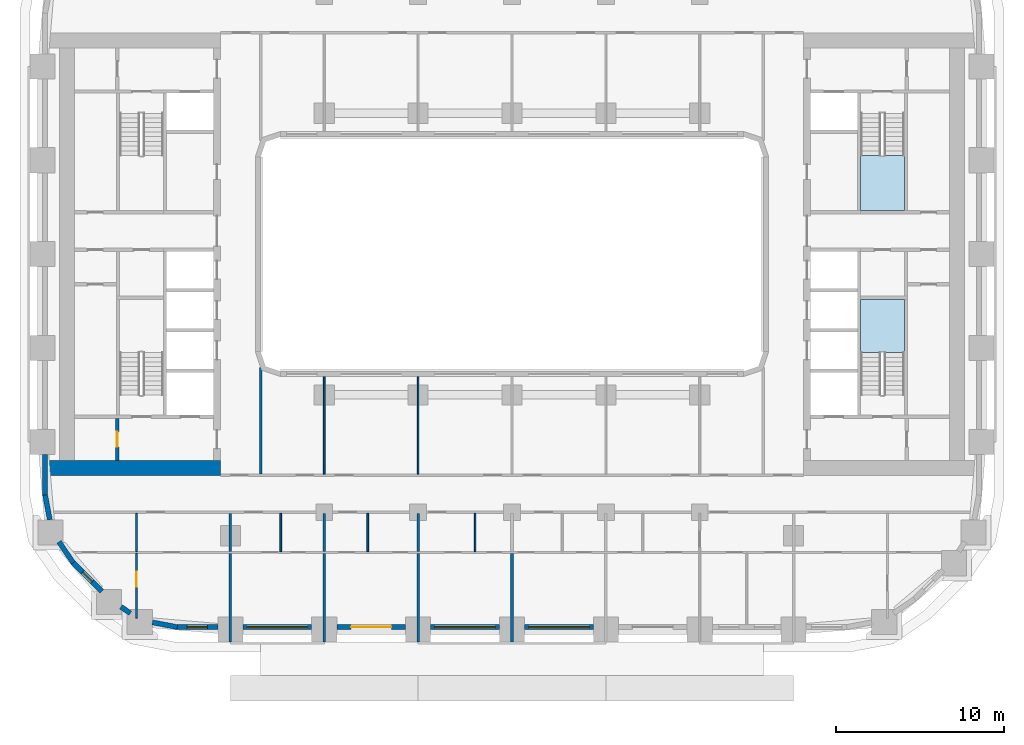
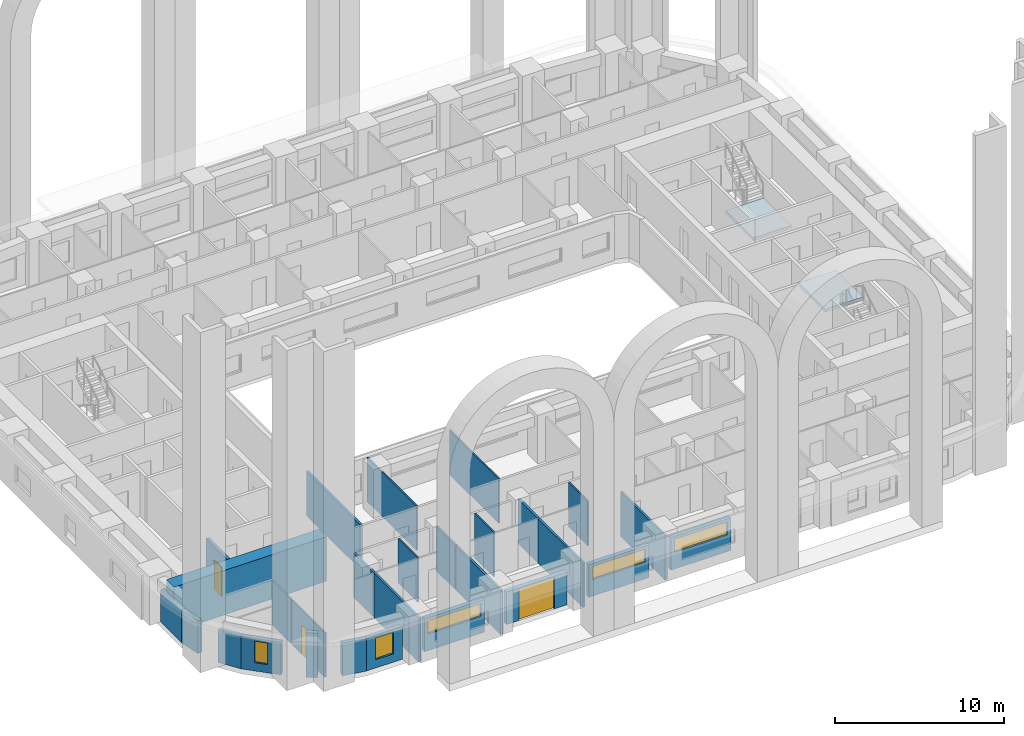
# One storey, part 2 of 21: 28 walls, 5 windows, 3 doors, 2 slabs, 8 openings, 2 elements without a shape of their own.
"""IFC4 building model written with IfcOpenShell, lengths in metres."""

from ifc_helpers import new_model, si_unit, direction, frame, frame_2d, origin, place, context, subcontext, project, spatial, polyline, rectangle, outline, extrude, material, layer, layer_set, type_object, element, fill, aggregate, save


model = new_model("IFC4")

# Units and contexts
model_context = context("Model", 3, precision=1e-05, world=origin(), true_north=direction((0.0, 1.0)))
body_context = subcontext(model_context, "Body", "Model", "MODEL_VIEW")
ifc_project = project(units=[si_unit("LENGTHUNIT", "METRE"), si_unit("AREAUNIT", "SQUARE_METRE"), si_unit("VOLUMEUNIT", "CUBIC_METRE"), si_unit("PLANEANGLEUNIT", "RADIAN"), si_unit("MASSUNIT", "GRAM", prefix="KILO")], contexts=[model_context])

# Site, building, storey
site_placement = place(None, origin())
site = spatial("IfcSite", under=ifc_project, at=site_placement, CompositionType="ELEMENT")
building_placement = place(site_placement, origin())
building = spatial("IfcBuilding", under=site, at=building_placement, Name="Kiln Ring Residences", CompositionType="ELEMENT")
storey_placement = place(building_placement, frame((0.0, 0.0, 30.5)))
storey = spatial("IfcBuildingStorey", under=building, at=storey_placement, Name="L06", CompositionType="ELEMENT", Elevation=30.5)

# Stair, slab
ifc_material_1 = material(Name="Concrete C40/50", Category="concrete")
stair_type = type_object("IfcStairType", Name="CORE-STAIR", PredefinedType="HALF_TURN_STAIR", material=ifc_material_1)
placement_1 = place(storey_placement, origin())
stair_1 = element("IfcStair", 1, at=placement_1, inside=storey, type_object=stair_type, Name="L06 stair E-STN", PredefinedType="HALF_TURN_STAIR")
ifc_material_2 = material(Name="Concrete C40/50", Category="concrete")
ifc_layer_1 = layer(ifc_material_2, 0.199951171875)
ifc_layer_set_1 = layer_set([ifc_layer_1], Name="CORE-STAIR-LANDING")
slab_type = type_object("IfcSlabType", Name="CORE-STAIR-LANDING", PredefinedType="LANDING", material=ifc_layer_set_1)
placement_2 = place(storey_placement, frame((0.0, 0.0, 1.550048828125)))
slab_1 = element("IfcSlab", 2, at=placement_2, type_object=slab_type, Name="E-STN landing 1", PredefinedType="LANDING", context=body_context, shape_type="SweptSolid", body=[
    extrude(outline(polyline([(20.800048828125, 5.8798828125), (20.800048828125, 2.60009765625), (23.39990234375, 2.60009765625), (23.39990234375, 5.8798828125), (20.800048828125, 5.8798828125)])), origin(), (0.0, 0.0, 1.0), 0.199951171875),
])
aggregate(stair_1, [slab_1])

stair_2 = element("IfcStair", 3, at=placement_1, inside=storey, type_object=stair_type, Name="L06 stair E-STS", PredefinedType="HALF_TURN_STAIR")
slab_2 = element("IfcSlab", 4, at=placement_2, type_object=slab_type, Name="E-STS landing 1", PredefinedType="LANDING", context=body_context, shape_type="SweptSolid", body=[
    extrude(outline(polyline([(23.39990234375, -5.8798828125), (23.39990234375, -2.699951171875), (20.800048828125, -2.699951171875), (20.800048828125, -5.8798828125), (23.39990234375, -5.8798828125)])), origin(), (0.0, 0.0, 1.0), 0.199951171875),
])
aggregate(stair_2, [slab_2])

# Wall, opening, door
ifc_material_3 = material(Name="Gypsum board on steel studs", Category="steel")
ifc_layer_2 = layer(ifc_material_3, 0.199951171875)
ifc_layer_set_2 = layer_set([ifc_layer_2], Name="CORE-PARTITION-200")
wall_type_1 = type_object("IfcWallType", Name="CORE-PARTITION-200", PredefinedType="PARTITIONING", material=ifc_layer_set_2)
wall_1_placement = place(storey_placement, frame((-23.550048828125, -12.300048828125, 0.0), z_axis=(0.0, 0.0, 1.0), x_axis=(0.0, 1.0, 0.0)))
wall_1 = element("IfcWall", 5, at=wall_1_placement, inside=storey, type_object=wall_type_1, Name="Core partition west L06 4", PredefinedType="PARTITIONING", context=body_context, shape_type="SweptSolid", body=[
    extrude(rectangle(XDim=2.5, YDim=0.199951171875, at=frame_2d((1.25, 0.0))), origin(), (0.0, 0.0, 1.0), 3.199951171875),
])
opening_1_placement = place(wall_1_placement, frame((0.800048828125, 0.0, 0.0)))
opening_1 = element("IfcOpeningElement", 6, at=opening_1_placement, cuts=wall_1, Name="Opening L06-CW10", PredefinedType="OPENING", context=body_context, shape_type="SweptSolid", body=[
    extrude(rectangle(XDim=0.89990234375, YDim=2.10009765625, at=frame_2d((0.449951171875, 1.050048828125))), frame((0.0, 0.10986328125, 0.0), z_axis=(0.0, -1.0, 0.0), x_axis=(1.0, 0.0, 0.0)), (0.0, 0.0, 1.0), 0.219970703125),
])
ifc_material_4 = material(Name="Steel door leaf", Category="steel")
door_type_1 = type_object("IfcDoorType", Name="CORE-DOOR-ROOM", OperationType="SINGLE_SWING_LEFT", PredefinedType="DOOR", material=ifc_material_4)
door_1_placement = place(opening_1_placement, origin())
door_1 = element("IfcDoor", 7, at=door_1_placement, inside=storey, type_object=door_type_1, Name="Store L06-CW10", OperationType="SINGLE_SWING_RIGHT", OverallHeight=2.10009765625, OverallWidth=0.89990234375, PredefinedType="DOOR", context=body_context, shape_type="SweptSolid", body=[
    extrude(rectangle(XDim=0.89990234375, YDim=2.10009765625, at=frame_2d((0.449951171875, 1.050048828125))), frame((0.0, 0.02490234375, 0.0), z_axis=(0.0, -1.0, 0.0), x_axis=(1.0, 0.0, 0.0)), (0.0, 0.0, 1.0), 0.050048828125),
])
fill(opening_1, door_1)

# Wall
ifc_material_5 = material(Name="Concrete C60/75", Category="concrete")
ifc_layer_3 = layer(ifc_material_5, 0.89990234375)
ifc_layer_set_3 = layer_set([ifc_layer_3], Name="CORE-WALL-RC900")
wall_type_2 = type_object("IfcWallType", Name="CORE-WALL-RC900", PredefinedType="SHEAR", material=ifc_layer_set_3)
wall_2_placement = place(storey_placement, frame((-17.39990234375, -12.75, 0.0), z_axis=(0.0, 0.0, 1.0), x_axis=(-1.0, 0.0, 0.0)))
element("IfcWall", 8, at=wall_2_placement, inside=storey, type_object=wall_type_2, Name="Core wall west L06 5", PredefinedType="SHEAR", context=body_context, shape_type="SweptSolid", body=[
    extrude(rectangle(XDim=10.400146484375, YDim=0.89990234375, at=frame_2d((5.2001953125, 0.0))), origin(), (0.0, 0.0, 1.0), 3.199951171875),
])

# Wall, opening, window
ifc_material_6 = material(Name="Brick masonry, dark clay brick", Category="masonry")
ifc_layer_4 = layer(ifc_material_6, 0.300048828125)
ifc_layer_set_4 = layer_set([ifc_layer_4], Name="EW-300 BRICK WALL")
wall_type_3 = type_object("IfcWallType", Name="EW-300 BRICK WALL", PredefinedType="SOLIDWALL", material=ifc_layer_set_4)
wall_3_placement = place(storey_placement, frame((-26.19677734375, -18.390869140625, 0.0), z_axis=(0.0, 0.0, 1.0), x_axis=(0.707106781187, -0.707106781187, 0.0)))
wall_3 = element("IfcWall", 9, at=wall_3_placement, inside=storey, type_object=wall_type_3, Name="Facade wall L06 1", PredefinedType="SOLIDWALL", context=body_context, shape_type="SweptSolid", body=[
    extrude(rectangle(XDim=2.449951171875, YDim=0.300048828125, at=frame_2d((1.22509765625, 0.0))), origin(), (0.0, 0.0, 1.0), 2.35009765625),
])
opening_2_placement = place(wall_3_placement, frame((0.824951171875, 0.0, 0.60009765625)))
opening_2 = element("IfcOpeningElement", 10, at=opening_2_placement, cuts=wall_3, Name="Opening W5", PredefinedType="OPENING", context=body_context, shape_type="SweptSolid", body=[
    extrude(rectangle(XDim=0.800048828125, YDim=1.550048828125, at=frame_2d((0.39990234375, 0.77490234375))), frame((0.0, 0.159912109375, 0.0), z_axis=(0.0, -1.0, 0.0), x_axis=(1.0, 0.0, 0.0)), (0.0, 0.0, 1.0), 0.320068359375),
])
ifc_material_7 = material(Name="Aluminium frame with double glazing", Category="aluminium")
window_type_1 = type_object("IfcWindowType", Name="WINDOW 800 x 1550", PartitioningType="SINGLE_PANEL", PredefinedType="WINDOW", material=ifc_material_7)
window_1_placement = place(opening_2_placement, origin())
window_1 = element("IfcWindow", 11, at=window_1_placement, inside=storey, type_object=window_type_1, Name="Window L06 1", OverallHeight=1.550048828125, OverallWidth=0.800048828125, PartitioningType="SINGLE_PANEL", PredefinedType="WINDOW", context=body_context, shape_type="SweptSolid", body=[
    extrude(rectangle(XDim=0.800048828125, YDim=1.550048828125, at=frame_2d((0.39990234375, 0.77490234375))), frame((0.0, 0.030029296875, 0.0), z_axis=(0.0, -1.0, 0.0), x_axis=(1.0, 0.0, 0.0)), (0.0, 0.0, 1.0), 0.06005859375),
])
fill(opening_2, window_1)

# Walls
wall_4_placement = place(storey_placement, frame((-23.3271484375, -21.044921875, 0.0), z_axis=(0.0, 0.0, 1.0), x_axis=(0.827080706709, -0.562083182981, 0.0)))
element("IfcWall", 12, at=wall_4_placement, inside=storey, type_object=wall_type_3, Name="Facade wall L06 2", PredefinedType="SOLIDWALL", context=body_context, shape_type="SweptSolid", body=[
    extrude(rectangle(XDim=0.67724609375, YDim=0.300048828125, at=frame_2d((0.338623046875, 0.0))), origin(), (0.0, 0.0, 1.0), 3.199951171875),
])
wall_5_placement = place(storey_placement, frame((-21.451416015625, -21.970458984375, 0.0), z_axis=(0.0, 0.0, 1.0), x_axis=(0.982287454367, -0.187380247071, 0.0)))
element("IfcWall", 13, at=wall_5_placement, inside=storey, type_object=wall_type_3, Name="Facade wall L06 3", PredefinedType="SOLIDWALL", context=body_context, shape_type="SweptSolid", body=[
    extrude(rectangle(XDim=1.506103515625, YDim=0.300048828125, at=frame_2d((0.7529296875, 0.0))), origin(), (0.0, 0.0, 1.0), 2.35009765625),
])

# Wall, opening, window
wall_6_placement = place(storey_placement, frame((-20.0, -22.25, 0.0), z_axis=(0.0, 0.0, 1.0), x_axis=(1.0, 0.0, 0.0)))
wall_6 = element("IfcWall", 14, at=wall_6_placement, inside=storey, type_object=wall_type_3, Name="Facade wall L06 4", PredefinedType="SOLIDWALL", context=body_context, shape_type="SweptSolid", body=[
    extrude(rectangle(XDim=2.449951171875, YDim=0.300048828125, at=frame_2d((1.22509765625, 0.0))), origin(), (0.0, 0.0, 1.0), 2.35009765625),
])
opening_3_placement = place(wall_6_placement, frame((0.625, 0.0, 0.60009765625)))
opening_3 = element("IfcOpeningElement", 15, at=opening_3_placement, cuts=wall_6, Name="Opening W1", PredefinedType="OPENING", context=body_context, shape_type="SweptSolid", body=[
    extrude(rectangle(XDim=1.199951171875, YDim=1.550048828125, at=frame_2d((0.60009765625, 0.77490234375))), frame((0.0, 0.159912109375, 0.0), z_axis=(0.0, -1.0, 0.0), x_axis=(1.0, 0.0, 0.0)), (0.0, 0.0, 1.0), 0.320068359375),
])
ifc_material_8 = material(Name="Aluminium frame with double glazing", Category="aluminium")
window_type_2 = type_object("IfcWindowType", Name="WINDOW 1200 x 1550", PartitioningType="SINGLE_PANEL", PredefinedType="WINDOW", material=ifc_material_8)
window_2_placement = place(opening_3_placement, origin())
window_2 = element("IfcWindow", 16, at=window_2_placement, inside=storey, type_object=window_type_2, Name="Window L06 2", OverallHeight=1.550048828125, OverallWidth=1.199951171875, PartitioningType="SINGLE_PANEL", PredefinedType="WINDOW", context=body_context, shape_type="SweptSolid", body=[
    extrude(rectangle(XDim=1.199951171875, YDim=1.550048828125, at=frame_2d((0.60009765625, 0.77490234375))), frame((0.0, 0.030029296875, 0.0), z_axis=(0.0, -1.0, 0.0), x_axis=(1.0, 0.0, 0.0)), (0.0, 0.0, 1.0), 0.06005859375),
])
fill(opening_3, window_2)

wall_7_placement = place(storey_placement, frame((-16.050048828125, -22.25, 0.0), z_axis=(0.0, 0.0, 1.0), x_axis=(1.0, 0.0, 0.0)))
wall_7 = element("IfcWall", 17, at=wall_7_placement, inside=storey, type_object=wall_type_3, Name="Facade wall L06 5", PredefinedType="SOLIDWALL", context=body_context, shape_type="SweptSolid", body=[
    extrude(rectangle(XDim=4.10009765625, YDim=0.300048828125, at=frame_2d((2.050048828125, 0.0))), origin(), (0.0, 0.0, 1.0), 2.35009765625),
])
opening_4_placement = place(wall_7_placement, frame((0.25, 0.0, 1.199951171875)))
opening_4 = element("IfcOpeningElement", 18, at=opening_4_placement, cuts=wall_7, Name="Opening W4", PredefinedType="OPENING", context=body_context, shape_type="SweptSolid", body=[
    extrude(rectangle(XDim=3.60009765625, YDim=0.949951171875, at=frame_2d((1.800048828125, 0.47509765625))), frame((0.0, 0.159912109375, 0.0), z_axis=(0.0, -1.0, 0.0), x_axis=(1.0, 0.0, 0.0)), (0.0, 0.0, 1.0), 0.320068359375),
])
ifc_material_9 = material(Name="Aluminium frame with double glazing", Category="aluminium")
window_type_3 = type_object("IfcWindowType", Name="WINDOW 3600 x 950", PartitioningType="SINGLE_PANEL", PredefinedType="WINDOW", material=ifc_material_9)
window_3_placement = place(opening_4_placement, origin())
window_3 = element("IfcWindow", 19, at=window_3_placement, inside=storey, type_object=window_type_3, Name="Window L06 3", OverallHeight=0.949951171875, OverallWidth=3.60009765625, PartitioningType="SINGLE_PANEL", PredefinedType="WINDOW", context=body_context, shape_type="SweptSolid", body=[
    extrude(rectangle(XDim=3.60009765625, YDim=0.949951171875, at=frame_2d((1.800048828125, 0.47509765625))), frame((0.0, 0.030029296875, 0.0), z_axis=(0.0, -1.0, 0.0), x_axis=(1.0, 0.0, 0.0)), (0.0, 0.0, 1.0), 0.06005859375),
])
fill(opening_4, window_3)

# Wall, opening, door
wall_8_placement = place(storey_placement, frame((-10.449951171875, -22.25, 0.0), z_axis=(0.0, 0.0, 1.0), x_axis=(1.0, 0.0, 0.0)))
wall_8 = element("IfcWall", 20, at=wall_8_placement, inside=storey, type_object=wall_type_3, Name="Facade wall L06 6", PredefinedType="SOLIDWALL", context=body_context, shape_type="SweptSolid", body=[
    extrude(rectangle(XDim=4.099853515625, YDim=0.300048828125, at=frame_2d((2.0498046875, 0.0))), origin(), (0.0, 0.0, 1.0), 2.35009765625),
])
opening_5_placement = place(wall_8_placement, frame((0.85009765625, 0.0, 0.0)))
opening_5 = element("IfcOpeningElement", 21, at=opening_5_placement, cuts=wall_8, Name="Opening EL06-1", PredefinedType="OPENING", context=body_context, shape_type="SweptSolid", body=[
    extrude(rectangle(XDim=2.39990234375, YDim=2.300048828125, at=frame_2d((1.199951171875, 1.14990234375))), frame((0.0, 0.159912109375, 0.0), z_axis=(0.0, -1.0, 0.0), x_axis=(1.0, 0.0, 0.0)), (0.0, 0.0, 1.0), 0.320068359375),
])
ifc_material_10 = material(Name="Aluminium and glass", Category="aluminium")
door_type_2 = type_object("IfcDoorType", Name="TERRACE DOOR 2400 x 2300", OperationType="DOUBLE_DOOR_SINGLE_SWING", PredefinedType="DOOR", material=ifc_material_10)
door_2_placement = place(opening_5_placement, origin())
door_2 = element("IfcDoor", 22, at=door_2_placement, inside=storey, type_object=door_type_2, Name="Terrace door EL06-1", OperationType="SINGLE_SWING_LEFT", OverallHeight=2.300048828125, OverallWidth=2.39990234375, PredefinedType="DOOR", context=body_context, shape_type="SweptSolid", body=[
    extrude(rectangle(XDim=2.39990234375, YDim=2.300048828125, at=frame_2d((1.199951171875, 1.14990234375))), frame((0.0, 0.02490234375, 0.0), z_axis=(0.0, -1.0, 0.0), x_axis=(1.0, 0.0, 0.0)), (0.0, 0.0, 1.0), 0.050048828125),
])
fill(opening_5, door_2)

# Wall, opening, window
wall_9_placement = place(storey_placement, frame((-4.85009765625, -22.25, 0.0), z_axis=(0.0, 0.0, 1.0), x_axis=(1.0, 0.0, 0.0)))
wall_9 = element("IfcWall", 23, at=wall_9_placement, inside=storey, type_object=wall_type_3, Name="Facade wall L06 7", PredefinedType="SOLIDWALL", context=body_context, shape_type="SweptSolid", body=[
    extrude(rectangle(XDim=4.10009765625, YDim=0.300048828125, at=frame_2d((2.050048828125, 0.0))), origin(), (0.0, 0.0, 1.0), 2.35009765625),
])
opening_6_placement = place(wall_9_placement, frame((0.25, 0.0, 1.199951171875)))
opening_6 = element("IfcOpeningElement", 24, at=opening_6_placement, cuts=wall_9, Name="Opening W4", PredefinedType="OPENING", context=body_context, shape_type="SweptSolid", body=[
    extrude(rectangle(XDim=3.60009765625, YDim=0.949951171875, at=frame_2d((1.800048828125, 0.47509765625))), frame((0.0, 0.159912109375, 0.0), z_axis=(0.0, -1.0, 0.0), x_axis=(1.0, 0.0, 0.0)), (0.0, 0.0, 1.0), 0.320068359375),
])
window_4_placement = place(opening_6_placement, origin())
window_4 = element("IfcWindow", 25, at=window_4_placement, inside=storey, type_object=window_type_3, Name="Window L06 4", OverallHeight=0.949951171875, OverallWidth=3.60009765625, PartitioningType="SINGLE_PANEL", PredefinedType="WINDOW", context=body_context, shape_type="SweptSolid", body=[
    extrude(rectangle(XDim=3.60009765625, YDim=0.949951171875, at=frame_2d((1.800048828125, 0.47509765625))), frame((0.0, 0.030029296875, 0.0), z_axis=(0.0, -1.0, 0.0), x_axis=(1.0, 0.0, 0.0)), (0.0, 0.0, 1.0), 0.06005859375),
])
fill(opening_6, window_4)

wall_10_placement = place(storey_placement, frame((0.75, -22.25, 0.0), z_axis=(0.0, 0.0, 1.0), x_axis=(1.0, 0.0, 0.0)))
wall_10 = element("IfcWall", 26, at=wall_10_placement, inside=storey, type_object=wall_type_3, Name="Facade wall L06 8", PredefinedType="SOLIDWALL", context=body_context, shape_type="SweptSolid", body=[
    extrude(rectangle(XDim=4.10009765625, YDim=0.300048828125, at=frame_2d((2.050048828125, 0.0))), origin(), (0.0, 0.0, 1.0), 2.35009765625),
])
opening_7_placement = place(wall_10_placement, frame((0.25, 0.0, 1.199951171875)))
opening_7 = element("IfcOpeningElement", 27, at=opening_7_placement, cuts=wall_10, Name="Opening W4", PredefinedType="OPENING", context=body_context, shape_type="SweptSolid", body=[
    extrude(rectangle(XDim=3.60009765625, YDim=0.949951171875, at=frame_2d((1.800048828125, 0.47509765625))), frame((0.0, 0.159912109375, 0.0), z_axis=(0.0, -1.0, 0.0), x_axis=(1.0, 0.0, 0.0)), (0.0, 0.0, 1.0), 0.320068359375),
])
window_5_placement = place(opening_7_placement, origin())
window_5 = element("IfcWindow", 28, at=window_5_placement, inside=storey, type_object=window_type_3, Name="Window L06 5", OverallHeight=0.949951171875, OverallWidth=3.60009765625, PartitioningType="SINGLE_PANEL", PredefinedType="WINDOW", context=body_context, shape_type="SweptSolid", body=[
    extrude(rectangle(XDim=3.60009765625, YDim=0.949951171875, at=frame_2d((1.800048828125, 0.47509765625))), frame((0.0, 0.030029296875, 0.0), z_axis=(0.0, -1.0, 0.0), x_axis=(1.0, 0.0, 0.0)), (0.0, 0.0, 1.0), 0.06005859375),
])
fill(opening_7, window_5)

# Walls
wall_11_placement = place(storey_placement, frame((-27.85009765625, -11.949951171875, 0.0), z_axis=(0.0, 0.0, 1.0), x_axis=(0.0, -1.0, 0.0)))
element("IfcWall", 29, at=wall_11_placement, inside=storey, type_object=wall_type_3, Name="Facade wall L06 46", PredefinedType="SOLIDWALL", context=body_context, shape_type="SweptSolid", body=[
    extrude(rectangle(XDim=2.449951171875, YDim=0.300048828125, at=frame_2d((1.22509765625, 0.0))), origin(), (0.0, 0.0, 1.0), 2.35009765625),
])
for number, where, z_axis, x_axis, name in (
    (30, (-27.8525390625, -14.371826171875, 0.0), (0.0, 0.0, 1.0), (0.187223837635, -0.982317277982, 0.0), "Facade wall L06 47"),
    (31, (-27.025390625, -17.1669921875, 0.0), (0.0, 0.0, 1.0), (0.561973021955, -0.827155561303, 0.0), "Facade wall L06 48"),
):
    element("IfcWall", number, at=place(storey_placement, frame(where, z_axis=z_axis, x_axis=x_axis)), inside=storey, type_object=wall_type_3, Name=name, PredefinedType="SOLIDWALL", context=body_context, shape_type="SweptSolid", body=[
        extrude(rectangle(XDim=1.506103515625, YDim=0.300048828125, at=frame_2d((0.7529296875, 0.0))), origin(), (0.0, 0.0, 1.0), 2.35009765625),
    ])

# Wall, opening, door
ifc_material_11 = material(Name="Gypsum board on steel studs", Category="steel")
ifc_layer_5 = layer(ifc_material_11, 0.10009765625)
ifc_layer_set_5 = layer_set([ifc_layer_5], Name="PARTITION-100")
wall_type_4 = type_object("IfcWallType", Name="PARTITION-100", PredefinedType="PARTITIONING", material=ifc_layer_set_5)
wall_12_placement = place(storey_placement, frame((-22.39990234375, -21.719970703125, 0.0), z_axis=(0.0, 0.0, 1.0), x_axis=(0.0, 1.0, 0.0)))
wall_12 = element("IfcWall", 32, at=wall_12_placement, inside=storey, type_object=wall_type_4, Name="Partition 006", PredefinedType="PARTITIONING", context=body_context, shape_type="SweptSolid", body=[
    extrude(rectangle(XDim=3.869873046875, YDim=0.10009765625, at=frame_2d((1.93505859375, 0.0))), origin(), (0.0, 0.0, 1.0), 3.199951171875),
])
opening_8_placement = place(wall_12_placement, frame((1.8701171875, 0.0, 0.0)))
opening_8 = element("IfcOpeningElement", 33, at=opening_8_placement, cuts=wall_12, Name="Opening L06-D046", PredefinedType="OPENING", context=body_context, shape_type="SweptSolid", body=[
    extrude(rectangle(XDim=0.89990234375, YDim=2.10009765625, at=frame_2d((0.449951171875, 1.050048828125))), frame((0.0, 0.06005859375, 0.0), z_axis=(0.0, -1.0, 0.0), x_axis=(1.0, 0.0, 0.0)), (0.0, 0.0, 1.0), 0.1201171875),
])
ifc_material_12 = material(Name="Timber door leaf", Category="wood")
door_type_3 = type_object("IfcDoorType", Name="FLAT-DOOR-900-PL", OperationType="SINGLE_SWING_LEFT", PredefinedType="DOOR", material=ifc_material_12)
door_3_placement = place(opening_8_placement, origin())
door_3 = element("IfcDoor", 34, at=door_3_placement, inside=storey, type_object=door_type_3, Name="Door L06-D046", OperationType="SINGLE_SWING_LEFT", OverallHeight=2.10009765625, OverallWidth=0.89990234375, PredefinedType="DOOR", context=body_context, shape_type="SweptSolid", body=[
    extrude(rectangle(XDim=0.89990234375, YDim=2.10009765625, at=frame_2d((0.449951171875, 1.050048828125))), frame((0.0, 0.02490234375, 0.0), z_axis=(0.0, -1.0, 0.0), x_axis=(1.0, 0.0, 0.0)), (0.0, 0.0, 1.0), 0.050048828125),
])
fill(opening_8, door_3)

# Walls
for number, where, z_axis, x_axis, name in (
    (35, (-22.39990234375, -17.75, 0.0), (0.0, 0.0, 1.0), (0.0, 1.0, 0.0), "Partition 007"),
    (36, (-13.800048828125, -17.75, 0.0), (0.0, 0.0, 1.0), (0.0, 1.0, 0.0), "Partition 017"),
):
    element("IfcWall", number, at=place(storey_placement, frame(where, z_axis=z_axis, x_axis=x_axis)), inside=storey, type_object=wall_type_4, Name=name, PredefinedType="PARTITIONING", context=body_context, shape_type="SweptSolid", body=[
        extrude(rectangle(XDim=2.27490234375, YDim=0.10009765625, at=frame_2d((1.137451171875, 0.0))), origin(), (0.0, 0.0, 1.0), 3.199951171875),
    ])
wall_13_placement = place(storey_placement, frame((-11.199951171875, -13.125, 0.0), z_axis=(0.0, 0.0, 1.0), x_axis=(0.0, 1.0, 0.0)))
element("IfcWall", 37, at=wall_13_placement, inside=storey, type_object=wall_type_4, Name="Partition 018", PredefinedType="PARTITIONING", context=body_context, shape_type="SweptSolid", body=[
    extrude(rectangle(XDim=5.804931640625, YDim=0.10009765625, at=frame_2d((2.90234375, 0.0))), origin(), (0.0, 0.0, 1.0), 3.199951171875),
])
wall_14_placement = place(storey_placement, frame((-8.60009765625, -17.75, 0.0), z_axis=(0.0, 0.0, 1.0), x_axis=(0.0, 1.0, 0.0)))
element("IfcWall", 38, at=wall_14_placement, inside=storey, type_object=wall_type_4, Name="Partition 024", PredefinedType="PARTITIONING", context=body_context, shape_type="SweptSolid", body=[
    extrude(rectangle(XDim=2.27490234375, YDim=0.10009765625, at=frame_2d((1.137451171875, 0.0))), origin(), (0.0, 0.0, 1.0), 3.199951171875),
])
wall_15_placement = place(storey_placement, frame((-5.60009765625, -13.125, 0.0), z_axis=(0.0, 0.0, 1.0), x_axis=(0.0, 1.0, 0.0)))
element("IfcWall", 39, at=wall_15_placement, inside=storey, type_object=wall_type_4, Name="Partition 026", PredefinedType="PARTITIONING", context=body_context, shape_type="SweptSolid", body=[
    extrude(rectangle(XDim=5.804931640625, YDim=0.10009765625, at=frame_2d((2.90234375, 0.0))), origin(), (0.0, 0.0, 1.0), 3.199951171875),
])
wall_16_placement = place(storey_placement, frame((-2.199951171875, -17.75, 0.0), z_axis=(0.0, 0.0, 1.0), x_axis=(0.0, 1.0, 0.0)))
element("IfcWall", 40, at=wall_16_placement, inside=storey, type_object=wall_type_4, Name="Partition 032", PredefinedType="PARTITIONING", context=body_context, shape_type="SweptSolid", body=[
    extrude(rectangle(XDim=2.27490234375, YDim=0.10009765625, at=frame_2d((1.137451171875, 0.0))), origin(), (0.0, 0.0, 1.0), 3.199951171875),
])
ifc_material_13 = material(Name="Brick masonry partition", Category="masonry")
ifc_layer_6 = layer(ifc_material_13, 0.14990234375)
ifc_layer_set_6 = layer_set([ifc_layer_6], Name="PARTITION-150-ei60")
wall_type_5 = type_object("IfcWallType", Name="PARTITION-150-ei60", PredefinedType="PARTITIONING", material=ifc_layer_set_6)
wall_17_placement = place(storey_placement, frame((-16.800048828125, -23.1298828125, 0.0), z_axis=(0.0, 0.0, 1.0), x_axis=(0.0, 1.0, 0.0)))
element("IfcWall", 41, at=wall_17_placement, inside=storey, type_object=wall_type_5, Name="Partition 010", PredefinedType="PARTITIONING", context=body_context, shape_type="SweptSolid", body=[
    extrude(rectangle(XDim=5.27978515625, YDim=0.14990234375, at=frame_2d((2.639892578125, 0.0))), origin(), (0.0, 0.0, 1.0), 3.199951171875),
])
wall_18_placement = place(storey_placement, frame((-16.800048828125, -17.75, 0.0), z_axis=(0.0, 0.0, 1.0), x_axis=(0.0, 1.0, 0.0)))
element("IfcWall", 42, at=wall_18_placement, inside=storey, type_object=wall_type_5, Name="Partition 011", PredefinedType="PARTITIONING", context=body_context, shape_type="SweptSolid", body=[
    extrude(rectangle(XDim=2.27490234375, YDim=0.14990234375, at=frame_2d((1.137451171875, 0.0))), origin(), (0.0, 0.0, 1.0), 3.199951171875),
])
wall_19_placement = place(storey_placement, frame((-15.0, -13.125, 0.0), z_axis=(0.0, 0.0, 1.0), x_axis=(0.0, 1.0, 0.0)))
element("IfcWall", 43, at=wall_19_placement, inside=storey, type_object=wall_type_5, Name="Partition 014", PredefinedType="PARTITIONING", context=body_context, shape_type="SweptSolid", body=[
    extrude(rectangle(XDim=6.356201171875, YDim=0.14990234375, at=frame_2d((3.17822265625, 0.0))), origin(), (0.0, 0.0, 1.0), 3.199951171875),
])
wall_20_placement = place(storey_placement, frame((-11.199951171875, -23.1298828125, 0.0), z_axis=(0.0, 0.0, 1.0), x_axis=(0.0, 1.0, 0.0)))
element("IfcWall", 44, at=wall_20_placement, inside=storey, type_object=wall_type_5, Name="Partition 022", PredefinedType="PARTITIONING", context=body_context, shape_type="SweptSolid", body=[
    extrude(rectangle(XDim=5.27978515625, YDim=0.14990234375, at=frame_2d((2.639892578125, 0.0))), origin(), (0.0, 0.0, 1.0), 3.199951171875),
])
wall_21_placement = place(storey_placement, frame((-11.199951171875, -17.75, 0.0), z_axis=(0.0, 0.0, 1.0), x_axis=(0.0, 1.0, 0.0)))
element("IfcWall", 45, at=wall_21_placement, inside=storey, type_object=wall_type_5, Name="Partition 023", PredefinedType="PARTITIONING", context=body_context, shape_type="SweptSolid", body=[
    extrude(rectangle(XDim=2.27490234375, YDim=0.14990234375, at=frame_2d((1.137451171875, 0.0))), origin(), (0.0, 0.0, 1.0), 3.199951171875),
])
wall_22_placement = place(storey_placement, frame((-5.60009765625, -23.1298828125, 0.0), z_axis=(0.0, 0.0, 1.0), x_axis=(0.0, 1.0, 0.0)))
element("IfcWall", 46, at=wall_22_placement, inside=storey, type_object=wall_type_5, Name="Partition 028", PredefinedType="PARTITIONING", context=body_context, shape_type="SweptSolid", body=[
    extrude(rectangle(XDim=5.27978515625, YDim=0.14990234375, at=frame_2d((2.639892578125, 0.0))), origin(), (0.0, 0.0, 1.0), 3.199951171875),
])
wall_23_placement = place(storey_placement, frame((-5.60009765625, -17.75, 0.0), z_axis=(0.0, 0.0, 1.0), x_axis=(0.0, 1.0, 0.0)))
element("IfcWall", 47, at=wall_23_placement, inside=storey, type_object=wall_type_5, Name="Partition 029", PredefinedType="PARTITIONING", context=body_context, shape_type="SweptSolid", body=[
    extrude(rectangle(XDim=2.27490234375, YDim=0.14990234375, at=frame_2d((1.137451171875, 0.0))), origin(), (0.0, 0.0, 1.0), 3.199951171875),
])
wall_24_placement = place(storey_placement, frame((0.0, -23.1298828125, 0.0), z_axis=(0.0, 0.0, 1.0), x_axis=(0.0, 1.0, 0.0)))
element("IfcWall", 48, at=wall_24_placement, inside=storey, type_object=wall_type_5, Name="Partition 036", PredefinedType="PARTITIONING", context=body_context, shape_type="SweptSolid", body=[
    extrude(rectangle(XDim=5.27978515625, YDim=0.14990234375, at=frame_2d((2.639892578125, 0.0))), origin(), (0.0, 0.0, 1.0), 3.199951171875),
])

save(model, "model.ifc")
